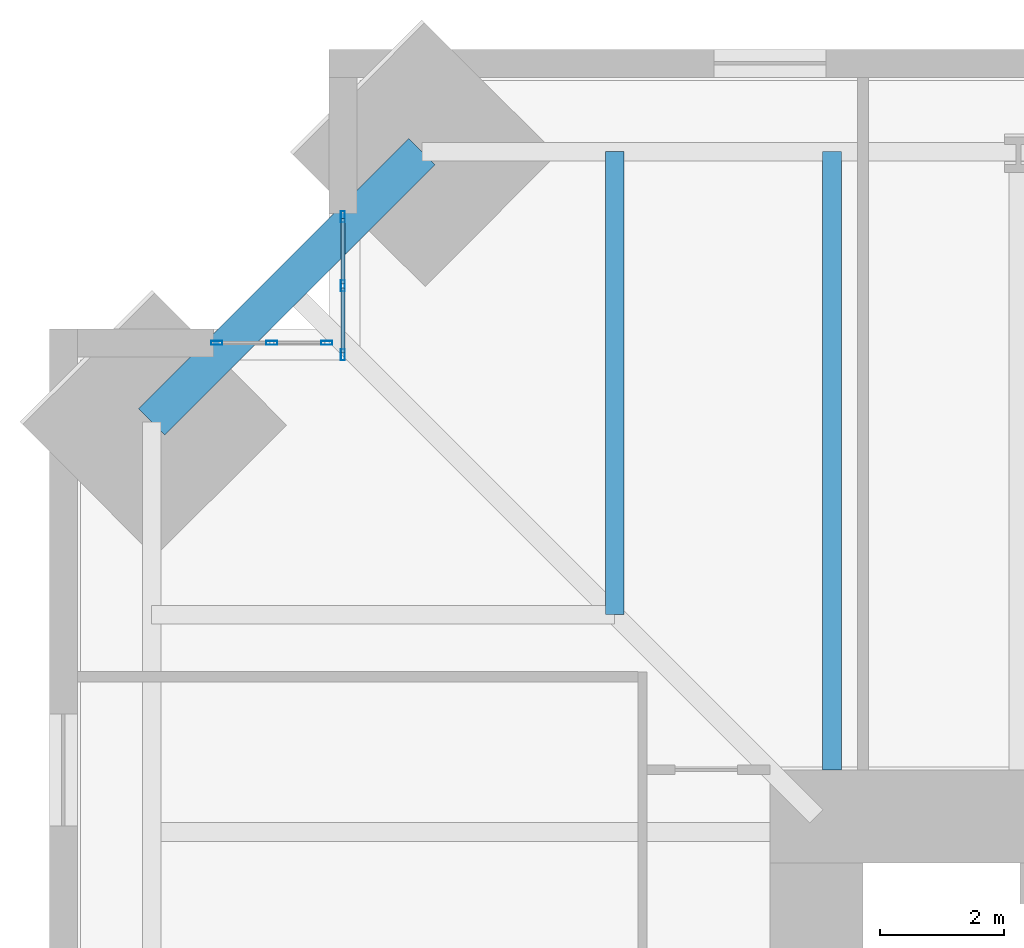
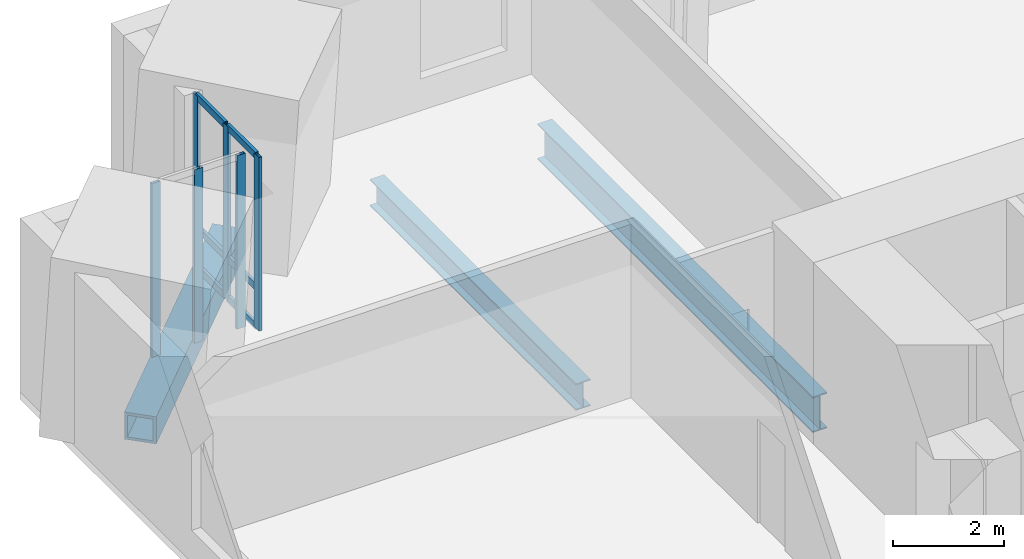
# One storey, part 6 of 14: 12 members, 3 beams, 2 elements without a shape of their own.
"""IFC4 building model written with IfcOpenShell, lengths in metres."""

from ifc_helpers import new_model, si_unit, direction, frame, origin, origin_2d, place, context, subcontext, project, spatial, hollow_rectangle, i_section, extrude, material, material_profile, profile_set, type_object, element, aggregate, save


model = new_model("IFC4")

# Units and contexts
model_context = context("Model", 3, precision=1e-05, world=origin(), true_north=direction((0.0, 1.0)))
body_context = subcontext(model_context, "Body", "Model", "MODEL_VIEW")
ifc_project = project(units=[si_unit("LENGTHUNIT", "METRE"), si_unit("AREAUNIT", "SQUARE_METRE"), si_unit("VOLUMEUNIT", "CUBIC_METRE"), si_unit("PLANEANGLEUNIT", "RADIAN"), si_unit("MASSUNIT", "GRAM", prefix="KILO")], contexts=[model_context])

# Site, building, storey
site_placement = place(None, origin())
site = spatial("IfcSite", under=ifc_project, at=site_placement, CompositionType="ELEMENT")
building_placement = place(site_placement, origin())
building = spatial("IfcBuilding", under=site, at=building_placement, Name="Peilmerk Tower", CompositionType="ELEMENT")
storey_placement = place(building_placement, frame((0.0, 0.0, 221.800048828125)))
storey = spatial("IfcBuildingStorey", under=building, at=storey_placement, Name="L48", CompositionType="ELEMENT", Elevation=221.800048828125)

# Beams
ifc_material_1 = material(Name="Steel S460", Category="steel")
ifc_material_profile_1 = material_profile(ifc_material_1, hollow_rectangle(XDim=0.60009765625, YDim=0.60009765625, WallThickness=0.06005859375, at=origin_2d()), Name="BOX 600x600x60")
ifc_profile_set_1 = profile_set([ifc_material_profile_1], Name="Steel S460")
beam_type_1 = type_object("IfcBeamType", Name="B20 BOX 600x600x60 notch beam", PredefinedType="SPANDREL", material=ifc_profile_set_1)
beam_1_placement = place(storey_placement, frame((-21.953125, 17.603271484375, -0.469970703125), z_axis=(0.707106781187, 0.707106781187, 0.0), x_axis=(-0.707106781187, 0.707106781187, 0.0)))
element("IfcBeam", 1, at=beam_1_placement, inside=storey, type_object=beam_type_1, Name="Notch beam L48", PredefinedType="SPANDREL", context=body_context, shape_type="SweptSolid", body=[
    extrude(hollow_rectangle(XDim=0.60009765625, YDim=0.60009765625, WallThickness=0.06005859375, at=origin_2d()), origin(), (0.0, 0.0, 1.0), 6.151611328125),
])
ifc_material_2 = material(Name="Steel S355", Category="steel")
ifc_material_profile_2 = material_profile(ifc_material_2, i_section(OverallWidth=0.300048828125, OverallDepth=0.590087890625, WebThickness=0.012939453125, FlangeThickness=0.02490234375, at=origin_2d()), Name="HEA 600")
ifc_profile_set_2 = profile_set([ifc_material_profile_2], Name="Steel S355")
beam_type_2 = type_object("IfcBeamType", Name="B27 HEA 600 floor beam", PredefinedType="BEAM", material=ifc_profile_set_2)
beam_2_placement = place(storey_placement, frame((-14.5, 14.5, -0.465087890625), z_axis=(0.0, 1.0, 0.0), x_axis=(-1.0, 0.0, 0.0)))
element("IfcBeam", 2, at=beam_2_placement, inside=storey, type_object=beam_type_2, Name="Floor beam L48", PredefinedType="BEAM", context=body_context, shape_type="SweptSolid", body=[
    extrude(i_section(OverallWidth=0.300048828125, OverallDepth=0.590087890625, WebThickness=0.012939453125, FlangeThickness=0.02490234375, at=origin_2d()), origin(), (0.0, 0.0, 1.0), 7.453125),
])
ifc_material_profile_3 = material_profile(ifc_material_2, i_section(OverallWidth=0.300048828125, OverallDepth=0.7900390625, WebThickness=0.014892578125, FlangeThickness=0.028076171875, at=origin_2d()), Name="HEA 800")
ifc_profile_set_3 = profile_set([ifc_material_profile_3], Name="Steel S355")
beam_type_3 = type_object("IfcBeamType", Name="B3 HEA 800 floor beam", PredefinedType="BEAM", material=ifc_profile_set_3)
beam_3_placement = place(storey_placement, frame((-11.0, 12.0, -0.56494140625), z_axis=(0.0, 1.0, 0.0), x_axis=(-1.0, 0.0, 0.0)))
element("IfcBeam", 3, at=beam_3_placement, inside=storey, type_object=beam_type_3, Name="Floor beam L48", PredefinedType="BEAM", context=body_context, shape_type="SweptSolid", body=[
    extrude(i_section(OverallWidth=0.300048828125, OverallDepth=0.7900390625, WebThickness=0.014892578125, FlangeThickness=0.028076171875, at=origin_2d()), origin(), (0.0, 0.0, 1.0), 9.953125),
])

# Curtain wall, members
ifc_material_3 = material(Name="Aluminium stick curtain wall", Category="aluminium")
curtain_wall_type = type_object("IfcCurtainWallType", Name="CW4 stick curtain wall, 2250 module", PredefinedType="NOTDEFINED", material=ifc_material_3)
curtain_wall_1_placement = place(storey_placement, origin())
curtain_wall_1 = element("IfcCurtainWall", 4, at=curtain_wall_1_placement, inside=storey, type_object=curtain_wall_type, Name="Curtain wall CW4 NWA L48", PredefinedType="NOTDEFINED")
ifc_material_4 = material(Name="Aluminium EN AW-6063 T6", Category="aluminium")
ifc_material_profile_4 = material_profile(ifc_material_4, hollow_rectangle(XDim=0.06494140625, YDim=0.179931640625, WallThickness=0.0029296875, at=origin_2d()), Name="AL 180x65x3")
ifc_profile_set_4 = profile_set([ifc_material_profile_4], Name="Aluminium EN AW-6063 T6")
member_type_1 = type_object("IfcMemberType", Name="CW4-M AL 180x65x3 mullion", PredefinedType="MULLION", material=ifc_profile_set_4)
member_1_placement = place(storey_placement, frame((-18.875, 18.6826171875, 0.0), z_axis=(0.0, 0.0, 1.0), x_axis=(-1.0, 0.0, 0.0)))
member_1 = element("IfcMember", 5, at=member_1_placement, type_object=member_type_1, Name="CW4 mullion 1", PredefinedType="MULLION", context=body_context, shape_type="SweptSolid", body=[
    extrude(hollow_rectangle(XDim=0.06494140625, YDim=0.179931640625, WallThickness=0.0029296875, at=origin_2d()), origin(), (0.0, 0.0, 1.0), 3.829833984375),
])
member_2_placement = place(storey_placement, frame((-18.875, 19.79443359375, 0.0), z_axis=(0.0, 0.0, 1.0), x_axis=(-1.0, 0.0, 0.0)))
member_2 = element("IfcMember", 6, at=member_2_placement, type_object=member_type_1, Name="CW4 mullion 2", PredefinedType="MULLION", context=body_context, shape_type="SweptSolid", body=[
    extrude(hollow_rectangle(XDim=0.06494140625, YDim=0.179931640625, WallThickness=0.0029296875, at=origin_2d()), origin(), (0.0, 0.0, 1.0), 3.829833984375),
])
member_3_placement = place(storey_placement, frame((-18.875, 20.90625, 0.0), z_axis=(0.0, 0.0, 1.0), x_axis=(-1.0, 0.0, 0.0)))
member_3 = element("IfcMember", 7, at=member_3_placement, type_object=member_type_1, Name="CW4 mullion 3", PredefinedType="MULLION", context=body_context, shape_type="SweptSolid", body=[
    extrude(hollow_rectangle(XDim=0.06494140625, YDim=0.179931640625, WallThickness=0.0029296875, at=origin_2d()), origin(), (0.0, 0.0, 1.0), 3.829833984375),
])

curtain_wall_2_placement = place(storey_placement, origin())
curtain_wall_2 = element("IfcCurtainWall", 8, at=curtain_wall_2_placement, inside=storey, type_object=curtain_wall_type, Name="Curtain wall CW4 NWB L48", PredefinedType="NOTDEFINED")
member_4_placement = place(storey_placement, frame((-19.132568359375, 18.875, 0.0), z_axis=(0.0, 0.0, 1.0), x_axis=(0.0, -1.0, 0.0)))
member_4 = element("IfcMember", 9, at=member_4_placement, type_object=member_type_1, Name="CW4 mullion 1", PredefinedType="MULLION", context=body_context, shape_type="SweptSolid", body=[
    extrude(hollow_rectangle(XDim=0.06494140625, YDim=0.179931640625, WallThickness=0.0029296875, at=origin_2d()), origin(), (0.0, 0.0, 1.0), 3.829833984375),
])
member_5_placement = place(storey_placement, frame((-20.019287109375, 18.875, 0.0), z_axis=(0.0, 0.0, 1.0), x_axis=(0.0, -1.0, 0.0)))
member_5 = element("IfcMember", 10, at=member_5_placement, type_object=member_type_1, Name="CW4 mullion 2", PredefinedType="MULLION", context=body_context, shape_type="SweptSolid", body=[
    extrude(hollow_rectangle(XDim=0.06494140625, YDim=0.179931640625, WallThickness=0.0029296875, at=origin_2d()), origin(), (0.0, 0.0, 1.0), 3.829833984375),
])
member_6_placement = place(storey_placement, frame((-20.90625, 18.875, 0.0), z_axis=(0.0, 0.0, 1.0), x_axis=(0.0, -1.0, 0.0)))
member_6 = element("IfcMember", 11, at=member_6_placement, type_object=member_type_1, Name="CW4 mullion 3", PredefinedType="MULLION", context=body_context, shape_type="SweptSolid", body=[
    extrude(hollow_rectangle(XDim=0.06494140625, YDim=0.179931640625, WallThickness=0.0029296875, at=origin_2d()), origin(), (0.0, 0.0, 1.0), 3.829833984375),
])
aggregate(curtain_wall_2, [member_4, member_5, member_6])

# Member
ifc_material_profile_5 = material_profile(ifc_material_4, hollow_rectangle(XDim=0.06494140625, YDim=0.14990234375, WallThickness=0.0029296875, at=origin_2d()), Name="AL 150x65x3")
ifc_profile_set_5 = profile_set([ifc_material_profile_5], Name="Aluminium EN AW-6063 T6")
member_type_2 = type_object("IfcMemberType", Name="CW4-T AL 150x65x3 transom", PredefinedType="USERDEFINED", material=ifc_profile_set_5)
member_7_placement = place(storey_placement, frame((-18.875, 18.715087890625, 0.032470703125), z_axis=(0.0, 1.0, 0.0), x_axis=(-1.0, 0.0, 0.0)))
member_7 = element("IfcMember", 12, at=member_7_placement, type_object=member_type_2, Name="CW4 transom 1.1", ObjectType="TRANSOM", PredefinedType="USERDEFINED", context=body_context, shape_type="SweptSolid", body=[
    extrude(hollow_rectangle(XDim=0.06494140625, YDim=0.14990234375, WallThickness=0.0029296875, at=origin_2d()), origin(), (0.0, 0.0, 1.0), 1.046630859375),
])

member_8_placement = place(storey_placement, frame((-18.875, 18.715087890625, 0.89990234375), z_axis=(0.0, 1.0, 0.0), x_axis=(-1.0, 0.0, 0.0)))
member_8 = element("IfcMember", 13, at=member_8_placement, type_object=member_type_2, Name="CW4 transom 1.2", ObjectType="TRANSOM", PredefinedType="USERDEFINED", context=body_context, shape_type="SweptSolid", body=[
    extrude(hollow_rectangle(XDim=0.06494140625, YDim=0.14990234375, WallThickness=0.0029296875, at=origin_2d()), origin(), (0.0, 0.0, 1.0), 1.046630859375),
])

member_9_placement = place(storey_placement, frame((-18.875, 18.715087890625, 3.79736328125), z_axis=(0.0, 1.0, 0.0), x_axis=(-1.0, 0.0, 0.0)))
member_9 = element("IfcMember", 14, at=member_9_placement, type_object=member_type_2, Name="CW4 transom 1.3", ObjectType="TRANSOM", PredefinedType="USERDEFINED", context=body_context, shape_type="SweptSolid", body=[
    extrude(hollow_rectangle(XDim=0.06494140625, YDim=0.14990234375, WallThickness=0.0029296875, at=origin_2d()), origin(), (0.0, 0.0, 1.0), 1.046630859375),
])

member_10_placement = place(storey_placement, frame((-18.875, 19.826904296875, 0.032470703125), z_axis=(0.0, 1.0, 0.0), x_axis=(-1.0, 0.0, 0.0)))
member_10 = element("IfcMember", 15, at=member_10_placement, type_object=member_type_2, Name="CW4 transom 2.1", ObjectType="TRANSOM", PredefinedType="USERDEFINED", context=body_context, shape_type="SweptSolid", body=[
    extrude(hollow_rectangle(XDim=0.06494140625, YDim=0.14990234375, WallThickness=0.0029296875, at=origin_2d()), origin(), (0.0, 0.0, 1.0), 1.046875),
])

member_11_placement = place(storey_placement, frame((-18.875, 19.826904296875, 0.89990234375), z_axis=(0.0, 1.0, 0.0), x_axis=(-1.0, 0.0, 0.0)))
member_11 = element("IfcMember", 16, at=member_11_placement, type_object=member_type_2, Name="CW4 transom 2.2", ObjectType="TRANSOM", PredefinedType="USERDEFINED", context=body_context, shape_type="SweptSolid", body=[
    extrude(hollow_rectangle(XDim=0.06494140625, YDim=0.14990234375, WallThickness=0.0029296875, at=origin_2d()), origin(), (0.0, 0.0, 1.0), 1.046875),
])

member_12_placement = place(storey_placement, frame((-18.875, 19.826904296875, 3.79736328125), z_axis=(0.0, 1.0, 0.0), x_axis=(-1.0, 0.0, 0.0)))
member_12 = element("IfcMember", 17, at=member_12_placement, type_object=member_type_2, Name="CW4 transom 2.3", ObjectType="TRANSOM", PredefinedType="USERDEFINED", context=body_context, shape_type="SweptSolid", body=[
    extrude(hollow_rectangle(XDim=0.06494140625, YDim=0.14990234375, WallThickness=0.0029296875, at=origin_2d()), origin(), (0.0, 0.0, 1.0), 1.046875),
])

aggregate(curtain_wall_1, [member_1, member_2, member_3, member_7, member_8, member_9, member_10, member_11, member_12])

save(model, "model.ifc")
